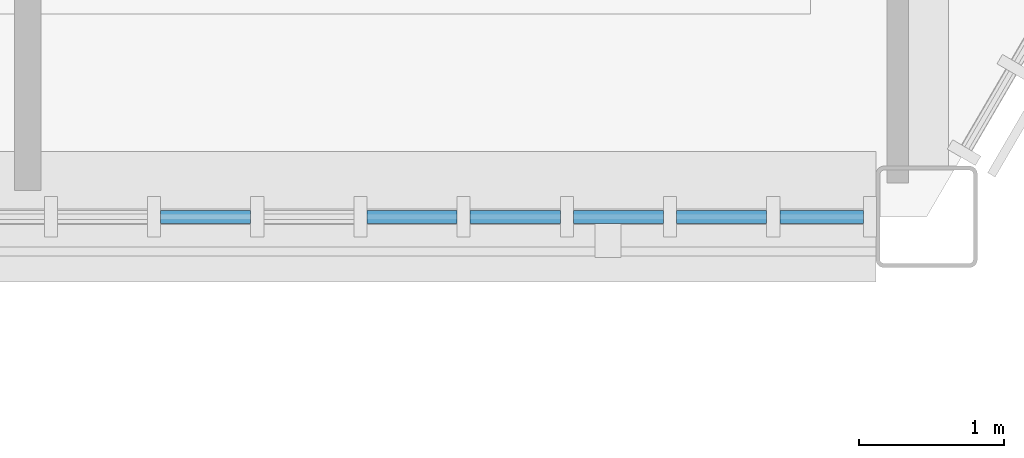
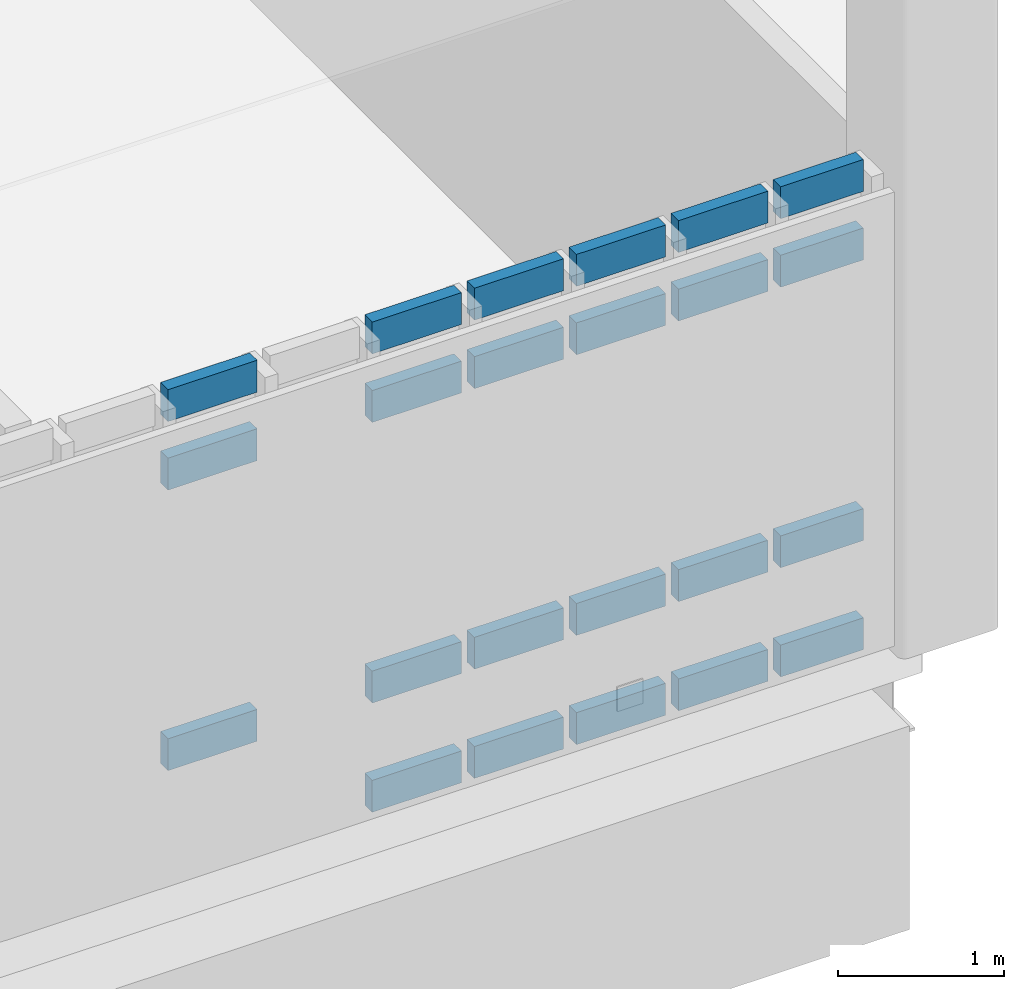
# One storey, part 57 of 127: 23 members, 1 element without a shape of its own.
"""IFC4 building model written with IfcOpenShell, lengths in metres."""

from ifc_helpers import new_model, si_unit, direction, frame, origin, origin_2d, place, context, subcontext, project, spatial, rectangle, extrude, material, material_profile, profile_set, type_object, element, aggregate, save


model = new_model("IFC4")

# Units and contexts
model_context = context("Model", 3, precision=1e-05, world=origin(), true_north=direction((0.0, 1.0)))
body_context = subcontext(model_context, "Body", "Model", "MODEL_VIEW")
ifc_project = project(units=[si_unit("LENGTHUNIT", "METRE"), si_unit("AREAUNIT", "SQUARE_METRE"), si_unit("VOLUMEUNIT", "CUBIC_METRE"), si_unit("PLANEANGLEUNIT", "RADIAN"), si_unit("MASSUNIT", "GRAM", prefix="KILO")], contexts=[model_context])

# Site, building, storey
site_placement = place(None, origin())
site = spatial("IfcSite", under=ifc_project, at=site_placement, CompositionType="ELEMENT")
building_placement = place(site_placement, origin())
building = spatial("IfcBuilding", under=site, at=building_placement, Name="Larkvane Passage Sports Hall", CompositionType="ELEMENT")
storey_placement = place(building_placement, frame((0.0, 0.0, 5.39990234375)))
storey = spatial("IfcBuildingStorey", under=building, at=storey_placement, Name="L01", CompositionType="ELEMENT", Elevation=5.39990234375)

# Curtain wall, members
ifc_material_1 = material(Name="Thermally broken aluminium and low-E glazing", Category="aluminium")
curtain_wall_type = type_object("IfcCurtainWallType", Name="CW-STICK-FOYER", PredefinedType="USERDEFINED", material=ifc_material_1)
curtain_wall_placement = place(storey_placement, origin())
curtain_wall = element("IfcCurtainWall", 1, at=curtain_wall_placement, inside=storey, type_object=curtain_wall_type, Name="Curtain wall CW5-L01-058", ObjectType="STICK CURTAIN WALL", PredefinedType="USERDEFINED")
ifc_material_2 = material(Name="Anodised aluminium 6063-T6", Category="aluminium")
ifc_material_profile = material_profile(ifc_material_2, rectangle(XDim=0.090087890625, YDim=0.235107421875, at=origin_2d()), Name="ALU-TRN-90x235")
ifc_profile_set = profile_set([ifc_material_profile], Name="Anodised aluminium 6063-T6")
member_type = type_object("IfcMemberType", Name="CW-TRN-90x235", PredefinedType="USERDEFINED", material=ifc_profile_set)
member_1_placement = place(storey_placement, frame((145.1640625, 63.60009765625, 0.045166015625), z_axis=(-1.0, 0.0, 0.0), x_axis=(0.0, -1.0, 0.0)))
member_1 = element("IfcMember", 2, at=member_1_placement, type_object=member_type, Name="CW-03 transom 1.1", ObjectType="TRANSOM", PredefinedType="USERDEFINED", context=body_context, shape_type="SweptSolid", body=[
    extrude(rectangle(XDim=0.090087890625, YDim=0.235107421875, at=origin_2d()), origin(), (0.0, 0.0, 1.0), 0.576904296875),
])
member_2_placement = place(storey_placement, frame((145.1640625, 63.60009765625, 0.85009765625), z_axis=(-1.0, 0.0, 0.0), x_axis=(0.0, -1.0, 0.0)))
member_2 = element("IfcMember", 3, at=member_2_placement, type_object=member_type, Name="CW-03 transom 1.2", ObjectType="TRANSOM", PredefinedType="USERDEFINED", context=body_context, shape_type="SweptSolid", body=[
    extrude(rectangle(XDim=0.090087890625, YDim=0.235107421875, at=origin_2d()), origin(), (0.0, 0.0, 1.0), 0.576904296875),
])
member_3_placement = place(storey_placement, frame((145.1640625, 63.60009765625, 2.918212890625), z_axis=(-1.0, 0.0, 0.0), x_axis=(0.0, -1.0, 0.0)))
member_3 = element("IfcMember", 4, at=member_3_placement, type_object=member_type, Name="CW-03 transom 1.3", ObjectType="TRANSOM", PredefinedType="USERDEFINED", context=body_context, shape_type="SweptSolid", body=[
    extrude(rectangle(XDim=0.090087890625, YDim=0.235107421875, at=origin_2d()), origin(), (0.0, 0.0, 1.0), 0.576904296875),
])
member_4_placement = place(storey_placement, frame((145.1640625, 63.60009765625, 3.423095703125), z_axis=(-1.0, 0.0, 0.0), x_axis=(0.0, -1.0, 0.0)))
member_4 = element("IfcMember", 5, at=member_4_placement, type_object=member_type, Name="CW-03 transom 1.4", ObjectType="TRANSOM", PredefinedType="USERDEFINED", context=body_context, shape_type="SweptSolid", body=[
    extrude(rectangle(XDim=0.090087890625, YDim=0.235107421875, at=origin_2d()), origin(), (0.0, 0.0, 1.0), 0.576904296875),
])
member_5_placement = place(storey_placement, frame((144.4970703125, 63.60009765625, 0.045166015625), z_axis=(-1.0, 0.0, 0.0), x_axis=(0.0, -1.0, 0.0)))
member_5 = element("IfcMember", 6, at=member_5_placement, type_object=member_type, Name="CW-03 transom 2.1", ObjectType="TRANSOM", PredefinedType="USERDEFINED", context=body_context, shape_type="SweptSolid", body=[
    extrude(rectangle(XDim=0.090087890625, YDim=0.235107421875, at=origin_2d()), origin(), (0.0, 0.0, 1.0), 0.621826171875),
])
member_6_placement = place(storey_placement, frame((144.4970703125, 63.60009765625, 0.85009765625), z_axis=(-1.0, 0.0, 0.0), x_axis=(0.0, -1.0, 0.0)))
member_6 = element("IfcMember", 7, at=member_6_placement, type_object=member_type, Name="CW-03 transom 2.2", ObjectType="TRANSOM", PredefinedType="USERDEFINED", context=body_context, shape_type="SweptSolid", body=[
    extrude(rectangle(XDim=0.090087890625, YDim=0.235107421875, at=origin_2d()), origin(), (0.0, 0.0, 1.0), 0.621826171875),
])
member_7_placement = place(storey_placement, frame((144.4970703125, 63.60009765625, 2.918212890625), z_axis=(-1.0, 0.0, 0.0), x_axis=(0.0, -1.0, 0.0)))
member_7 = element("IfcMember", 8, at=member_7_placement, type_object=member_type, Name="CW-03 transom 2.3", ObjectType="TRANSOM", PredefinedType="USERDEFINED", context=body_context, shape_type="SweptSolid", body=[
    extrude(rectangle(XDim=0.090087890625, YDim=0.235107421875, at=origin_2d()), origin(), (0.0, 0.0, 1.0), 0.621826171875),
])
member_8_placement = place(storey_placement, frame((144.4970703125, 63.60009765625, 3.423095703125), z_axis=(-1.0, 0.0, 0.0), x_axis=(0.0, -1.0, 0.0)))
member_8 = element("IfcMember", 9, at=member_8_placement, type_object=member_type, Name="CW-03 transom 2.4", ObjectType="TRANSOM", PredefinedType="USERDEFINED", context=body_context, shape_type="SweptSolid", body=[
    extrude(rectangle(XDim=0.090087890625, YDim=0.235107421875, at=origin_2d()), origin(), (0.0, 0.0, 1.0), 0.621826171875),
])
member_9_placement = place(storey_placement, frame((143.785400390625, 63.60009765625, 0.045166015625), z_axis=(-1.0, 0.0, 0.0), x_axis=(0.0, -1.0, 0.0)))
member_9 = element("IfcMember", 10, at=member_9_placement, type_object=member_type, Name="CW-03 transom 3.1", ObjectType="TRANSOM", PredefinedType="USERDEFINED", context=body_context, shape_type="SweptSolid", body=[
    extrude(rectangle(XDim=0.090087890625, YDim=0.235107421875, at=origin_2d()), origin(), (0.0, 0.0, 1.0), 0.621826171875),
])
member_10_placement = place(storey_placement, frame((143.785400390625, 63.60009765625, 0.85009765625), z_axis=(-1.0, 0.0, 0.0), x_axis=(0.0, -1.0, 0.0)))
member_10 = element("IfcMember", 11, at=member_10_placement, type_object=member_type, Name="CW-03 transom 3.2", ObjectType="TRANSOM", PredefinedType="USERDEFINED", context=body_context, shape_type="SweptSolid", body=[
    extrude(rectangle(XDim=0.090087890625, YDim=0.235107421875, at=origin_2d()), origin(), (0.0, 0.0, 1.0), 0.621826171875),
])
member_11_placement = place(storey_placement, frame((143.785400390625, 63.60009765625, 2.918212890625), z_axis=(-1.0, 0.0, 0.0), x_axis=(0.0, -1.0, 0.0)))
member_11 = element("IfcMember", 12, at=member_11_placement, type_object=member_type, Name="CW-03 transom 3.3", ObjectType="TRANSOM", PredefinedType="USERDEFINED", context=body_context, shape_type="SweptSolid", body=[
    extrude(rectangle(XDim=0.090087890625, YDim=0.235107421875, at=origin_2d()), origin(), (0.0, 0.0, 1.0), 0.621826171875),
])
member_12_placement = place(storey_placement, frame((143.785400390625, 63.60009765625, 3.423095703125), z_axis=(-1.0, 0.0, 0.0), x_axis=(0.0, -1.0, 0.0)))
member_12 = element("IfcMember", 13, at=member_12_placement, type_object=member_type, Name="CW-03 transom 3.4", ObjectType="TRANSOM", PredefinedType="USERDEFINED", context=body_context, shape_type="SweptSolid", body=[
    extrude(rectangle(XDim=0.090087890625, YDim=0.235107421875, at=origin_2d()), origin(), (0.0, 0.0, 1.0), 0.621826171875),
])
member_13_placement = place(storey_placement, frame((143.073486328125, 63.60009765625, 0.045166015625), z_axis=(-1.0, 0.0, 0.0), x_axis=(0.0, -1.0, 0.0)))
member_13 = element("IfcMember", 14, at=member_13_placement, type_object=member_type, Name="CW-03 transom 4.1", ObjectType="TRANSOM", PredefinedType="USERDEFINED", context=body_context, shape_type="SweptSolid", body=[
    extrude(rectangle(XDim=0.090087890625, YDim=0.235107421875, at=origin_2d()), origin(), (0.0, 0.0, 1.0), 0.621826171875),
])
member_14_placement = place(storey_placement, frame((143.073486328125, 63.60009765625, 0.85009765625), z_axis=(-1.0, 0.0, 0.0), x_axis=(0.0, -1.0, 0.0)))
member_14 = element("IfcMember", 15, at=member_14_placement, type_object=member_type, Name="CW-03 transom 4.2", ObjectType="TRANSOM", PredefinedType="USERDEFINED", context=body_context, shape_type="SweptSolid", body=[
    extrude(rectangle(XDim=0.090087890625, YDim=0.235107421875, at=origin_2d()), origin(), (0.0, 0.0, 1.0), 0.621826171875),
])
member_15_placement = place(storey_placement, frame((143.073486328125, 63.60009765625, 2.918212890625), z_axis=(-1.0, 0.0, 0.0), x_axis=(0.0, -1.0, 0.0)))
member_15 = element("IfcMember", 16, at=member_15_placement, type_object=member_type, Name="CW-03 transom 4.3", ObjectType="TRANSOM", PredefinedType="USERDEFINED", context=body_context, shape_type="SweptSolid", body=[
    extrude(rectangle(XDim=0.090087890625, YDim=0.235107421875, at=origin_2d()), origin(), (0.0, 0.0, 1.0), 0.621826171875),
])
member_16_placement = place(storey_placement, frame((143.073486328125, 63.60009765625, 3.423095703125), z_axis=(-1.0, 0.0, 0.0), x_axis=(0.0, -1.0, 0.0)))
member_16 = element("IfcMember", 17, at=member_16_placement, type_object=member_type, Name="CW-03 transom 4.4", ObjectType="TRANSOM", PredefinedType="USERDEFINED", context=body_context, shape_type="SweptSolid", body=[
    extrude(rectangle(XDim=0.090087890625, YDim=0.235107421875, at=origin_2d()), origin(), (0.0, 0.0, 1.0), 0.621826171875),
])
member_17_placement = place(storey_placement, frame((142.361572265625, 63.60009765625, 0.045166015625), z_axis=(-1.0, 0.0, 0.0), x_axis=(0.0, -1.0, 0.0)))
member_17 = element("IfcMember", 18, at=member_17_placement, type_object=member_type, Name="CW-03 transom 5.1", ObjectType="TRANSOM", PredefinedType="USERDEFINED", context=body_context, shape_type="SweptSolid", body=[
    extrude(rectangle(XDim=0.090087890625, YDim=0.235107421875, at=origin_2d()), origin(), (0.0, 0.0, 1.0), 0.621826171875),
])
member_18_placement = place(storey_placement, frame((142.361572265625, 63.60009765625, 0.85009765625), z_axis=(-1.0, 0.0, 0.0), x_axis=(0.0, -1.0, 0.0)))
member_18 = element("IfcMember", 19, at=member_18_placement, type_object=member_type, Name="CW-03 transom 5.2", ObjectType="TRANSOM", PredefinedType="USERDEFINED", context=body_context, shape_type="SweptSolid", body=[
    extrude(rectangle(XDim=0.090087890625, YDim=0.235107421875, at=origin_2d()), origin(), (0.0, 0.0, 1.0), 0.621826171875),
])
member_19_placement = place(storey_placement, frame((142.361572265625, 63.60009765625, 2.918212890625), z_axis=(-1.0, 0.0, 0.0), x_axis=(0.0, -1.0, 0.0)))
member_19 = element("IfcMember", 20, at=member_19_placement, type_object=member_type, Name="CW-03 transom 5.3", ObjectType="TRANSOM", PredefinedType="USERDEFINED", context=body_context, shape_type="SweptSolid", body=[
    extrude(rectangle(XDim=0.090087890625, YDim=0.235107421875, at=origin_2d()), origin(), (0.0, 0.0, 1.0), 0.621826171875),
])
member_20_placement = place(storey_placement, frame((142.361572265625, 63.60009765625, 3.423095703125), z_axis=(-1.0, 0.0, 0.0), x_axis=(0.0, -1.0, 0.0)))
member_20 = element("IfcMember", 21, at=member_20_placement, type_object=member_type, Name="CW-03 transom 5.4", ObjectType="TRANSOM", PredefinedType="USERDEFINED", context=body_context, shape_type="SweptSolid", body=[
    extrude(rectangle(XDim=0.090087890625, YDim=0.235107421875, at=origin_2d()), origin(), (0.0, 0.0, 1.0), 0.621826171875),
])
member_21_placement = place(storey_placement, frame((140.93798828125, 63.60009765625, 0.85009765625), z_axis=(-1.0, 0.0, 0.0), x_axis=(0.0, -1.0, 0.0)))
member_21 = element("IfcMember", 22, at=member_21_placement, type_object=member_type, Name="CW-03 transom 7.2", ObjectType="TRANSOM", PredefinedType="USERDEFINED", context=body_context, shape_type="SweptSolid", body=[
    extrude(rectangle(XDim=0.090087890625, YDim=0.235107421875, at=origin_2d()), origin(), (0.0, 0.0, 1.0), 0.621826171875),
])
member_22_placement = place(storey_placement, frame((140.93798828125, 63.60009765625, 2.918212890625), z_axis=(-1.0, 0.0, 0.0), x_axis=(0.0, -1.0, 0.0)))
member_22 = element("IfcMember", 23, at=member_22_placement, type_object=member_type, Name="CW-03 transom 7.3", ObjectType="TRANSOM", PredefinedType="USERDEFINED", context=body_context, shape_type="SweptSolid", body=[
    extrude(rectangle(XDim=0.090087890625, YDim=0.235107421875, at=origin_2d()), origin(), (0.0, 0.0, 1.0), 0.621826171875),
])
member_23_placement = place(storey_placement, frame((140.93798828125, 63.60009765625, 3.423095703125), z_axis=(-1.0, 0.0, 0.0), x_axis=(0.0, -1.0, 0.0)))
member_23 = element("IfcMember", 24, at=member_23_placement, type_object=member_type, Name="CW-03 transom 7.4", ObjectType="TRANSOM", PredefinedType="USERDEFINED", context=body_context, shape_type="SweptSolid", body=[
    extrude(rectangle(XDim=0.090087890625, YDim=0.235107421875, at=origin_2d()), origin(), (0.0, 0.0, 1.0), 0.621826171875),
])
aggregate(curtain_wall, [member_1, member_2, member_3, member_4, member_5, member_6, member_7, member_8, member_9, member_10, member_11, member_12, member_13, member_14, member_15, member_16, member_17, member_18, member_19, member_20, member_21, member_22, member_23])

save(model, "model.ifc")
